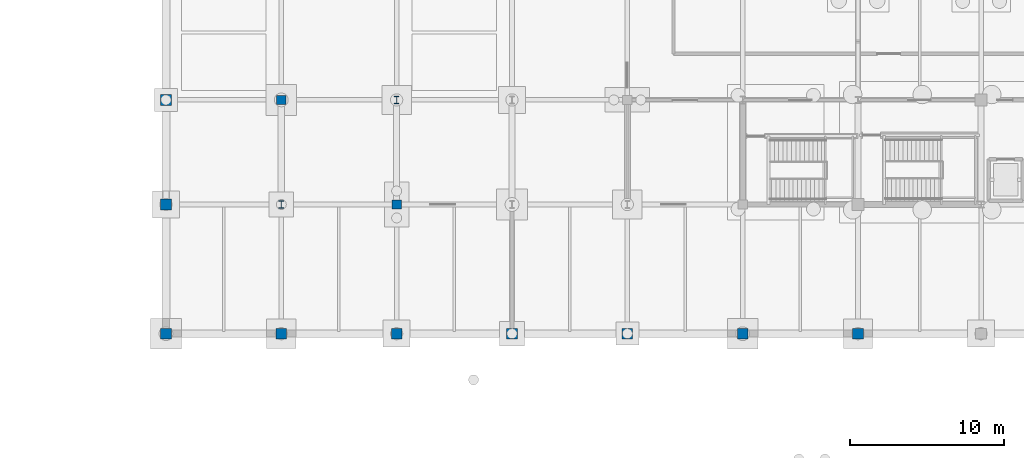
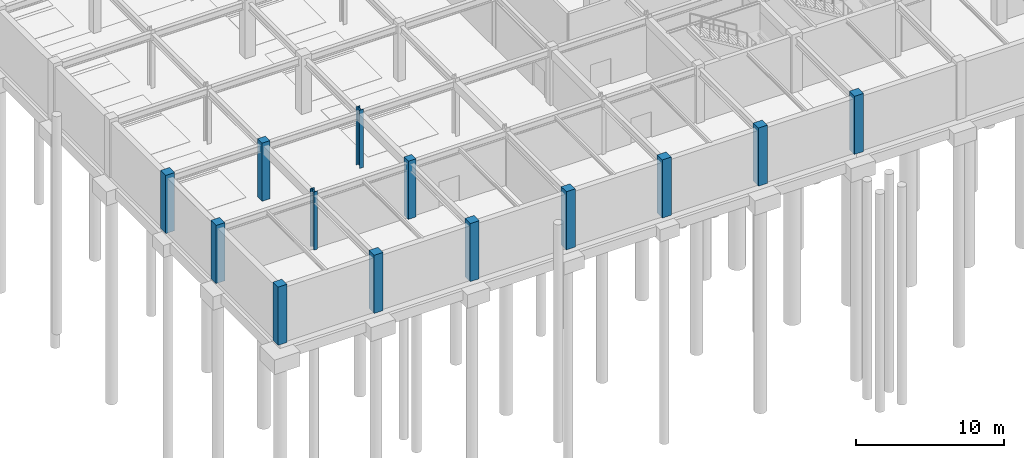
# One storey, part 9 of 53: 13 columns.
"""IFC4 building model written with IfcOpenShell, lengths in metres."""

from ifc_helpers import new_model, si_unit, direction, frame, origin, origin_2d, place, context, subcontext, project, spatial, rectangle, i_section, extrude, material, material_profile, profile_set, type_object, element, save


model = new_model("IFC4")

# Units and contexts
model_context = context("Model", 3, precision=1e-05, world=origin(), true_north=direction((0.0, 1.0)))
body_context = subcontext(model_context, "Body", "Model", "MODEL_VIEW")
ifc_project = project(units=[si_unit("LENGTHUNIT", "METRE"), si_unit("AREAUNIT", "SQUARE_METRE"), si_unit("VOLUMEUNIT", "CUBIC_METRE"), si_unit("PLANEANGLEUNIT", "RADIAN"), si_unit("MASSUNIT", "GRAM", prefix="KILO")], contexts=[model_context])

# Site, building, storey
site_placement = place(None, origin())
site = spatial("IfcSite", under=ifc_project, at=site_placement, CompositionType="ELEMENT")
building_placement = place(site_placement, origin())
building = spatial("IfcBuilding", under=site, at=building_placement, Name="Shalkamar Park Central Library", CompositionType="ELEMENT")
storey_placement = place(building_placement, frame((0.0, 0.0, -4.800048828125)))
storey = spatial("IfcBuildingStorey", under=building, at=storey_placement, Name="B1", CompositionType="ELEMENT", Elevation=-4.800048828125)

# Columns
ifc_material_1 = material(Name="Concrete C40/50", Category="concrete")
ifc_material_profile_1 = material_profile(ifc_material_1, rectangle(XDim=0.60009765625, YDim=0.60009765625, at=origin_2d()), Name="RC 600x600")
ifc_profile_set_1 = profile_set([ifc_material_profile_1], Name="Concrete C40/50")
column_type_1 = type_object("IfcColumnType", Name="Column Concrete RC600", PredefinedType="COLUMN", material=ifc_profile_set_1)
for number, where, z_axis, x_axis, name in (
    (1, (127.5, 255.199951171875, 0.0), (0.0, 0.0, 1.0), (1.0, 0.0, 0.0), "Column 02/C (B1)"),
    (2, (135.0, 248.39990234375, 0.0), (0.0, 0.0, 1.0), (1.0, 0.0, 0.0), "Column 03/B (B1)"),
):
    element("IfcColumn", number, at=place(storey_placement, frame(where, z_axis=z_axis, x_axis=x_axis)), inside=storey, type_object=column_type_1, Name=name, PredefinedType="COLUMN", context=body_context, shape_type="SweptSolid", body=[
        extrude(rectangle(XDim=0.60009765625, YDim=0.60009765625, at=origin_2d()), origin(), (0.0, 0.0, 1.0), 4.800048828125),
    ])
ifc_material_profile_2 = material_profile(ifc_material_1, rectangle(XDim=0.699951171875, YDim=0.699951171875, at=origin_2d()), Name="RC 700x700")
ifc_profile_set_2 = profile_set([ifc_material_profile_2], Name="Concrete C40/50")
column_type_2 = type_object("IfcColumnType", Name="Column Concrete RC700", PredefinedType="COLUMN", material=ifc_profile_set_2)
for number, where, z_axis, x_axis, name in (
    (3, (120.0, 240.0, 0.0), (0.0, 0.0, 1.0), (1.0, 0.0, 0.0), "Column 01/A (B1)"),
    (4, (120.0, 248.39990234375, 0.0), (0.0, 0.0, 1.0), (1.0, 0.0, 0.0), "Column 01/B (B1)"),
    (5, (120.0, 255.199951171875, 0.0), (0.0, 0.0, 1.0), (1.0, 0.0, 0.0), "Column 01/C (B1)"),
    (6, (127.5, 240.0, 0.0), (0.0, 0.0, 1.0), (1.0, 0.0, 0.0), "Column 02/A (B1)"),
    (7, (135.0, 240.0, 0.0), (0.0, 0.0, 1.0), (1.0, 0.0, 0.0), "Column 03/A (B1)"),
    (8, (142.5, 240.0, 0.0), (0.0, 0.0, 1.0), (1.0, 0.0, 0.0), "Column 04/A (B1)"),
    (9, (150.0, 240.0, 0.0), (0.0, 0.0, 1.0), (1.0, 0.0, 0.0), "Column 05/A (B1)"),
    (10, (157.5, 240.0, 0.0), (0.0, 0.0, 1.0), (1.0, 0.0, 0.0), "Column 06/A (B1)"),
    (11, (165.0, 240.0, 0.0), (0.0, 0.0, 1.0), (1.0, 0.0, 0.0), "Column 07/A (B1)"),
):
    element("IfcColumn", number, at=place(storey_placement, frame(where, z_axis=z_axis, x_axis=x_axis)), inside=storey, type_object=column_type_2, Name=name, PredefinedType="COLUMN", context=body_context, shape_type="SweptSolid", body=[
        extrude(rectangle(XDim=0.699951171875, YDim=0.699951171875, at=origin_2d()), origin(), (0.0, 0.0, 1.0), 4.800048828125),
    ])
ifc_material_2 = material(Name="Steel S355", Category="steel")
ifc_material_profile_3 = material_profile(ifc_material_2, i_section(OverallWidth=0.300048828125, OverallDepth=0.5, WebThickness=0.014404296875, FlangeThickness=0.028076171875, FilletRadius=0.027099609375, at=origin_2d()), Name="HEB 500")
ifc_profile_set_3 = profile_set([ifc_material_profile_3], Name="Steel S355")
column_type_3 = type_object("IfcColumnType", Name="Column Steel HEB500", PredefinedType="COLUMN", material=ifc_profile_set_3)
for number, where, z_axis, x_axis, name in (
    (12, (127.5, 248.39990234375, 0.0), (0.0, 0.0, 1.0), (1.0, 0.0, 0.0), "Column 02/B (B1)"),
    (13, (135.0, 255.199951171875, 0.0), (0.0, 0.0, 1.0), (1.0, 0.0, 0.0), "Column 03/C (B1)"),
):
    element("IfcColumn", number, at=place(storey_placement, frame(where, z_axis=z_axis, x_axis=x_axis)), inside=storey, type_object=column_type_3, Name=name, PredefinedType="COLUMN", context=body_context, shape_type="SweptSolid", body=[
        extrude(i_section(OverallWidth=0.300048828125, OverallDepth=0.5, WebThickness=0.014404296875, FlangeThickness=0.028076171875, FilletRadius=0.027099609375, at=origin_2d()), origin(), (0.0, 0.0, 1.0), 4.800048828125),
    ])

save(model, "model.ifc")
